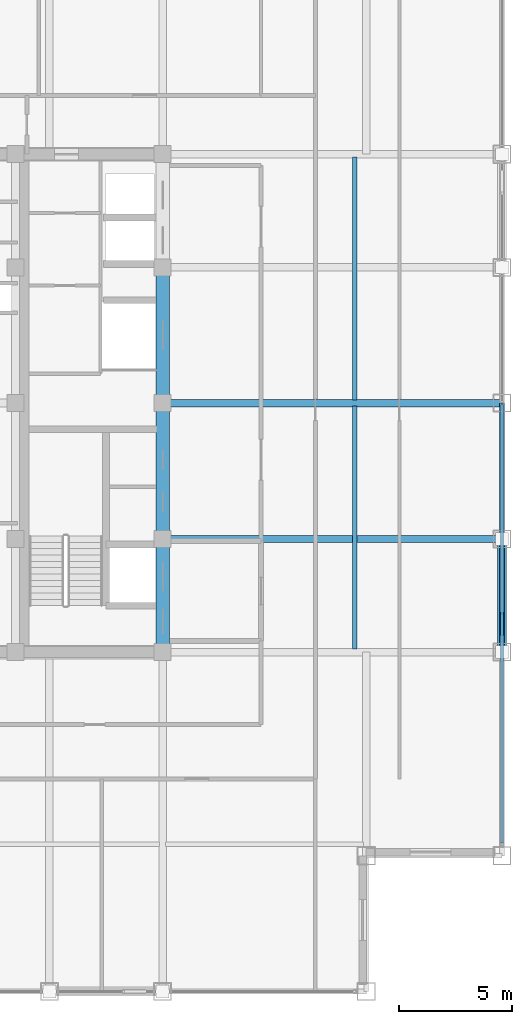
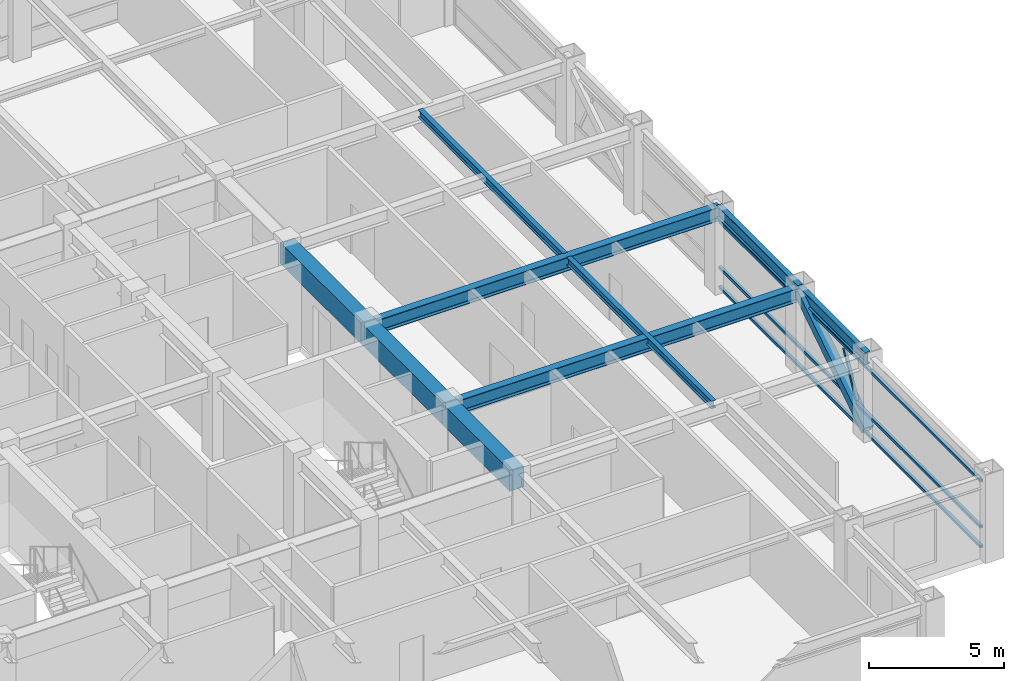
# One storey, part 11 of 28: 9 beams, 5 members, 1 element without a shape of its own.
"""IFC4 building model written with IfcOpenShell, lengths in metres."""

from ifc_helpers import new_model, si_unit, direction, frame, origin, origin_2d, place, context, subcontext, project, spatial, rectangle, hollow_rectangle, i_section, extrude, source, transform, mapped, material, material_profile, profile_set, type_object, element, aggregate, save


model = new_model("IFC4")

# Units and contexts
model_context = context("Model", 3, precision=1e-05, world=origin(), true_north=direction((0.0, 1.0)))
body_context = subcontext(model_context, "Body", "Model", "MODEL_VIEW")
ifc_project = project(units=[si_unit("LENGTHUNIT", "METRE"), si_unit("AREAUNIT", "SQUARE_METRE"), si_unit("VOLUMEUNIT", "CUBIC_METRE"), si_unit("PLANEANGLEUNIT", "RADIAN"), si_unit("MASSUNIT", "GRAM", prefix="KILO")], contexts=[model_context])

# Site, building, storey
site_placement = place(None, origin())
site = spatial("IfcSite", under=ifc_project, at=site_placement, CompositionType="ELEMENT")
building_placement = place(site_placement, origin())
building = spatial("IfcBuilding", under=site, at=building_placement, Name="Khorayat Bourse Tower", CompositionType="ELEMENT")
storey_placement = place(building_placement, frame((0.0, 0.0, 338.300048828125)))
storey = spatial("IfcBuildingStorey", under=building, at=storey_placement, Name="L80", CompositionType="ELEMENT", Elevation=338.300048828125)

# Beams
ifc_material_1 = material(Name="Concrete C60/75", Category="concrete")
ifc_material_profile_1 = material_profile(ifc_material_1, rectangle(XDim=0.60009765625, YDim=0.949951171875, at=origin_2d()), Name="RC 600x950")
ifc_profile_set_1 = profile_set([ifc_material_profile_1], Name="Concrete C60/75")
beam_type_1 = type_object("IfcBeamType", Name="BM-COUP-950", PredefinedType="BEAM", material=ifc_profile_set_1)
shared_shape_1 = source(origin(), body_context, "Body", "SweptSolid", [
    extrude(rectangle(XDim=0.60009765625, YDim=0.949951171875, at=origin_2d()), origin(), (0.0, 0.0, 1.0), 5.0),
])
beam_1_placement = place(storey_placement, frame((11.0, -11.0, 3.264892578125), z_axis=(0.0, 1.0, 0.0), x_axis=(-1.0, 0.0, 0.0)))
element("IfcBeam", 1, at=beam_1_placement, inside=storey, type_object=beam_type_1, Name="L80 BM-COUP-950 BM-L80-CRX-13", PredefinedType="BEAM", context=body_context, shape_type="MappedRepresentation", body=[
    mapped(shared_shape_1, transform((0.0, 0.0, 0.0), scale=1.0)),
])
shared_shape_2 = source(origin(), body_context, "Body", "SweptSolid", [
    extrude(rectangle(XDim=0.60009765625, YDim=0.949951171875, at=origin_2d()), origin(), (0.0, 0.0, 1.0), 6.0),
])
for number, where, z_axis, x_axis, name in (
    (2, (11.0, -6.0, 3.264892578125), (0.0, 1.0, 0.0), (-1.0, 0.0, 0.0), "L80 BM-COUP-950 BM-L80-CRX-14"),
    (3, (11.0, 0.0, 3.264892578125), (0.0, 1.0, 0.0), (-1.0, 0.0, 0.0), "L80 BM-COUP-950 BM-L80-CRX-15"),
):
    element("IfcBeam", number, at=place(storey_placement, frame(where, z_axis=z_axis, x_axis=x_axis)), inside=storey, type_object=beam_type_1, Name=name, PredefinedType="BEAM", context=body_context, shape_type="MappedRepresentation", body=[
        mapped(shared_shape_2, transform((0.0, 0.0, 0.0), scale=1.0)),
    ])
ifc_material_2 = material(Name="Steel ASTM A992 Grade 50", Category="steel")
ifc_material_profile_2 = material_profile(ifc_material_2, i_section(OverallWidth=0.202880859375, OverallDepth=0.346923828125, WebThickness=0.0078125, FlangeThickness=0.013427734375, FilletRadius=0.010009765625, at=origin_2d()), Name="W360X64")
ifc_profile_set_2 = profile_set([ifc_material_profile_2], Name="Steel ASTM A992 Grade 50")
beam_type_2 = type_object("IfcBeamType", Name="BM-JOIST-360", PredefinedType="JOIST", material=ifc_profile_set_2)
shared_shape_3 = source(origin(), body_context, "Body", "SweptSolid", [
    extrude(i_section(OverallWidth=0.202880859375, OverallDepth=0.346923828125, WebThickness=0.0078125, FlangeThickness=0.013427734375, FilletRadius=0.010009765625, at=origin_2d()), origin(), (0.0, 0.0, 1.0), 10.740234375),
])
for number, where, z_axis, x_axis, name in (
    (4, (19.5, -10.8701171875, 3.56640625), (0.0, 1.0, 0.0), (-1.0, 0.0, 0.0), "L80 BM-JOIST-360 BM-L80-JSTY-088"),
    (5, (19.5, 0.1298828125, 3.56640625), (0.0, 1.0, 0.0), (-1.0, 0.0, 0.0), "L80 BM-JOIST-360 BM-L80-JSTY-089"),
):
    element("IfcBeam", number, at=place(storey_placement, frame(where, z_axis=z_axis, x_axis=x_axis)), inside=storey, type_object=beam_type_2, Name=name, PredefinedType="JOIST", context=body_context, shape_type="MappedRepresentation", body=[
        mapped(shared_shape_3, transform((0.0, 0.0, 0.0), scale=1.0)),
    ])
ifc_material_profile_3 = material_profile(ifc_material_2, i_section(OverallWidth=0.214111328125, OverallDepth=0.549072265625, WebThickness=0.0146484375, FlangeThickness=0.023681640625, FilletRadius=0.013916015625, at=origin_2d()), Name="W530X138")
ifc_profile_set_3 = profile_set([ifc_material_profile_3], Name="Steel ASTM A992 Grade 50")
beam_type_3 = type_object("IfcBeamType", Name="BM-SPAN-530", PredefinedType="SPANDREL", material=ifc_profile_set_3)
shared_shape_4 = source(origin(), body_context, "Body", "SweptSolid", [
    extrude(i_section(OverallWidth=0.214111328125, OverallDepth=0.549072265625, WebThickness=0.0146484375, FlangeThickness=0.023681640625, FilletRadius=0.013916015625, at=origin_2d()), origin(), (0.0, 0.0, 1.0), 5.0),
])
beam_2_placement = place(storey_placement, frame((26.0, -11.0, 3.46533203125), z_axis=(0.0, 1.0, 0.0), x_axis=(-1.0, 0.0, 0.0)))
element("IfcBeam", 6, at=beam_2_placement, inside=storey, type_object=beam_type_3, Name="L80 BM-SPAN-530 BM-L80-SPN-033", PredefinedType="SPANDREL", context=body_context, shape_type="MappedRepresentation", body=[
    mapped(shared_shape_4, transform((0.0, 0.0, 0.0), scale=1.0)),
])
shared_shape_5 = source(origin(), body_context, "Body", "SweptSolid", [
    extrude(i_section(OverallWidth=0.214111328125, OverallDepth=0.549072265625, WebThickness=0.0146484375, FlangeThickness=0.023681640625, FilletRadius=0.013916015625, at=origin_2d()), origin(), (0.0, 0.0, 1.0), 6.0),
])
beam_3_placement = place(storey_placement, frame((26.0, -6.0, 3.46533203125), z_axis=(0.0, 1.0, 0.0), x_axis=(-1.0, 0.0, 0.0)))
element("IfcBeam", 7, at=beam_3_placement, inside=storey, type_object=beam_type_3, Name="L80 BM-SPAN-530 BM-L80-SPN-034", PredefinedType="SPANDREL", context=body_context, shape_type="MappedRepresentation", body=[
    mapped(shared_shape_5, transform((0.0, 0.0, 0.0), scale=1.0)),
])
ifc_material_profile_4 = material_profile(ifc_material_2, i_section(OverallWidth=0.324951171875, OverallDepth=0.615966796875, WebThickness=0.013916015625, FlangeThickness=0.021484375, FilletRadius=0.01611328125, at=origin_2d()), Name="W610X174")
ifc_profile_set_4 = profile_set([ifc_material_profile_4], Name="Steel ASTM A992 Grade 50")
beam_type_4 = type_object("IfcBeamType", Name="BM-GIRD-610", PredefinedType="BEAM", material=ifc_profile_set_4)
shared_shape_6 = source(origin(), body_context, "Body", "SweptSolid", [
    extrude(i_section(OverallWidth=0.324951171875, OverallDepth=0.615966796875, WebThickness=0.013916015625, FlangeThickness=0.021484375, FilletRadius=0.01611328125, at=origin_2d()), origin(), (0.0, 0.0, 1.0), 15.0),
])
for number, where, z_axis, x_axis, name in (
    (8, (11.0, -6.0, 3.431884765625), (1.0, 0.0, 0.0), (0.0, 1.0, 0.0), "L80 BM-GIRD-610 BM-L80-RADX-068"),
    (9, (11.0, 0.0, 3.431884765625), (1.0, 0.0, 0.0), (0.0, 1.0, 0.0), "L80 BM-GIRD-610 BM-L80-RADX-070"),
):
    element("IfcBeam", number, at=place(storey_placement, frame(where, z_axis=z_axis, x_axis=x_axis)), inside=storey, type_object=beam_type_4, Name=name, PredefinedType="BEAM", context=body_context, shape_type="MappedRepresentation", body=[
        mapped(shared_shape_6, transform((0.0, 0.0, 0.0), scale=1.0)),
    ])

# Member
ifc_material_3 = material(Name="Steel EN 10025-4 S460M", Category="steel")
ifc_material_profile_5 = material_profile(ifc_material_3, hollow_rectangle(XDim=0.39990234375, YDim=0.39990234375, WallThickness=0.02197265625, at=origin_2d()), Name="HSS 400x400x22")
ifc_profile_set_5 = profile_set([ifc_material_profile_5], Name="Steel EN 10025-4 S460M")
member_type_1 = type_object("IfcMemberType", Name="MBR-TUBE-400", PredefinedType="BRACE", material=ifc_profile_set_5)
shared_shape_7 = source(origin(), body_context, "Body", "SweptSolid", [
    extrude(hollow_rectangle(XDim=0.39990234375, YDim=0.39990234375, WallThickness=0.02197265625, at=origin_2d()), origin(), (0.0, 0.0, 1.0), 5.9580078125),
])
member_1_placement = place(storey_placement, frame((26.0, -11.0, 0.25), z_axis=(0.0, 0.839210474455, 0.543806748364), x_axis=(-1.0, 0.0, 0.0)))
element("IfcMember", 10, at=member_1_placement, inside=storey, type_object=member_type_1, Name="L80 Perimeter Tube Brace 07", PredefinedType="BRACE", context=body_context, shape_type="MappedRepresentation", body=[
    mapped(shared_shape_7, transform((0.0, 0.0, 0.0), scale=1.0)),
])

# Curtain wall, members
ifc_material_4 = material(Name="Aluminium EN AW-6063 T6", Category="aluminium")
curtain_wall_type = type_object("IfcCurtainWallType", Name="CW-SYS-04", PredefinedType="NOTDEFINED", material=ifc_material_4)
curtain_wall_placement = place(storey_placement, origin())
curtain_wall = element("IfcCurtainWall", 11, at=curtain_wall_placement, inside=storey, type_object=curtain_wall_type, Name="L80 Curtain Wall CW-L80-E1", PredefinedType="NOTDEFINED")
ifc_material_profile_6 = material_profile(ifc_material_4, hollow_rectangle(XDim=0.1201171875, YDim=0.1201171875, WallThickness=0.0048828125, at=origin_2d()), Name="ALU 120x120x5")
ifc_profile_set_6 = profile_set([ifc_material_profile_6], Name="Aluminium EN AW-6063 T6")
member_type_2 = type_object("IfcMemberType", Name="CWM-DIAG-120", PredefinedType="MULLION", material=ifc_profile_set_6)
shared_shape_8 = source(origin(), body_context, "Body", "SweptSolid", [
    extrude(hollow_rectangle(XDim=0.1201171875, YDim=0.1201171875, WallThickness=0.0048828125, at=origin_2d()), origin(), (0.0, 0.0, 1.0), 2.0341796875),
])
member_2_placement = place(storey_placement, frame((26.0, -10.21875, 1.08984375), z_axis=(0.0, 0.465790950955, 0.884894790361), x_axis=(-1.0, 0.0, 0.0)))
member_2 = element("IfcMember", 12, at=member_2_placement, type_object=member_type_2, Name="CW-L80-E1 Faceted Diagonal Mullion 1", PredefinedType="MULLION", context=body_context, shape_type="MappedRepresentation", body=[
    mapped(shared_shape_8, transform((0.0, 0.0, 0.0), scale=1.0)),
])
ifc_material_profile_7 = material_profile(ifc_material_4, hollow_rectangle(XDim=0.1201171875, YDim=0.1201171875, WallThickness=0.0048828125, at=origin_2d()), Name="ALU 120x120x5")
ifc_profile_set_7 = profile_set([ifc_material_profile_7], Name="Aluminium EN AW-6063 T6")
member_type_3 = type_object("IfcMemberType", Name="CWT-HORZ-120", PredefinedType="USERDEFINED", material=ifc_profile_set_7)
shared_shape_9 = source(origin(), body_context, "Body", "SweptSolid", [
    extrude(hollow_rectangle(XDim=0.1201171875, YDim=0.1201171875, WallThickness=0.0048828125, at=origin_2d()), origin(), (0.0, 0.0, 1.0), 19.369873046875),
])
member_3_placement = place(storey_placement, frame((26.0, -19.429931640625, 0.06005859375), z_axis=(0.0, 1.0, 0.0), x_axis=(-1.0, 0.0, 0.0)))
member_3 = element("IfcMember", 13, at=member_3_placement, type_object=member_type_3, Name="CW-L80-E1 Horizontal Transom 1-1", ObjectType="TRANSOM", PredefinedType="USERDEFINED", context=body_context, shape_type="MappedRepresentation", body=[
    mapped(shared_shape_9, transform((0.0, 0.0, 0.0), scale=1.0)),
])
member_4_placement = place(storey_placement, frame((26.0, -19.429931640625, 0.949951171875), z_axis=(0.0, 1.0, 0.0), x_axis=(-1.0, 0.0, 0.0)))
member_4 = element("IfcMember", 14, at=member_4_placement, type_object=member_type_3, Name="CW-L80-E1 Horizontal Transom 1-2", ObjectType="TRANSOM", PredefinedType="USERDEFINED", context=body_context, shape_type="MappedRepresentation", body=[
    mapped(shared_shape_9, transform((0.0, 0.0, 0.0), scale=1.0)),
])
member_5_placement = place(storey_placement, frame((26.0, -19.429931640625, 3.030029296875), z_axis=(0.0, 1.0, 0.0), x_axis=(-1.0, 0.0, 0.0)))
member_5 = element("IfcMember", 15, at=member_5_placement, type_object=member_type_3, Name="CW-L80-E1 Horizontal Transom 1-3", ObjectType="TRANSOM", PredefinedType="USERDEFINED", context=body_context, shape_type="MappedRepresentation", body=[
    mapped(shared_shape_9, transform((0.0, 0.0, 0.0), scale=1.0)),
])
aggregate(curtain_wall, [member_3, member_4, member_5, member_2])

save(model, "model.ifc")
